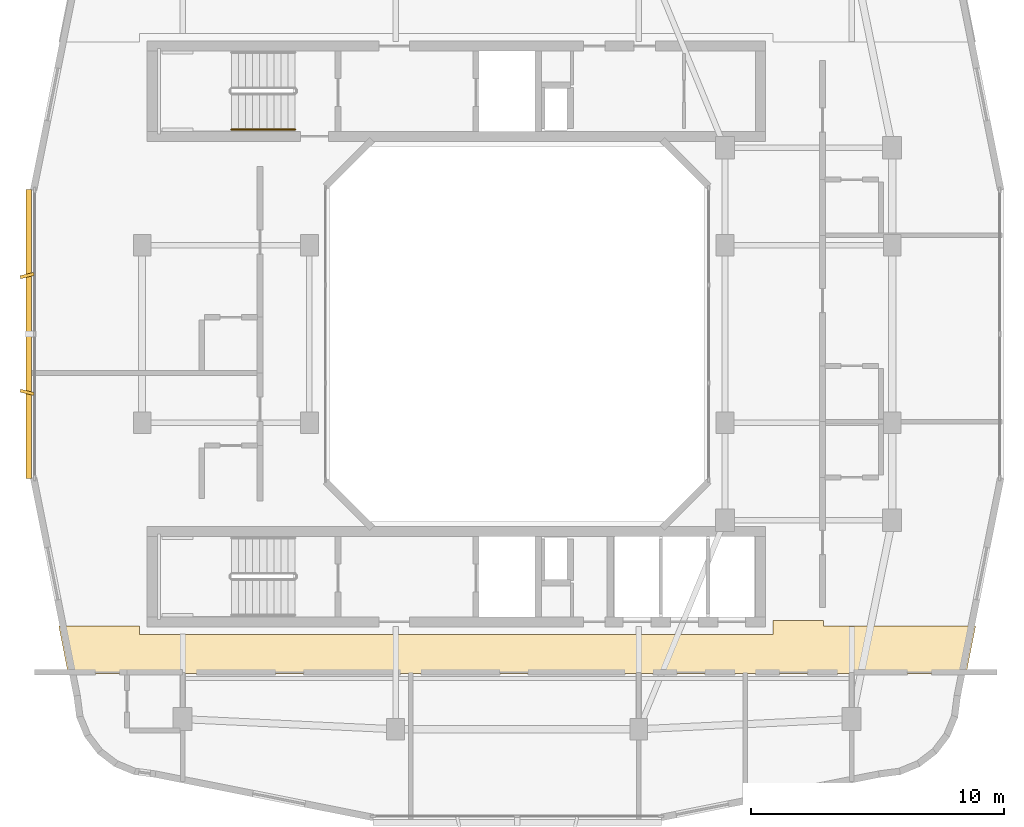
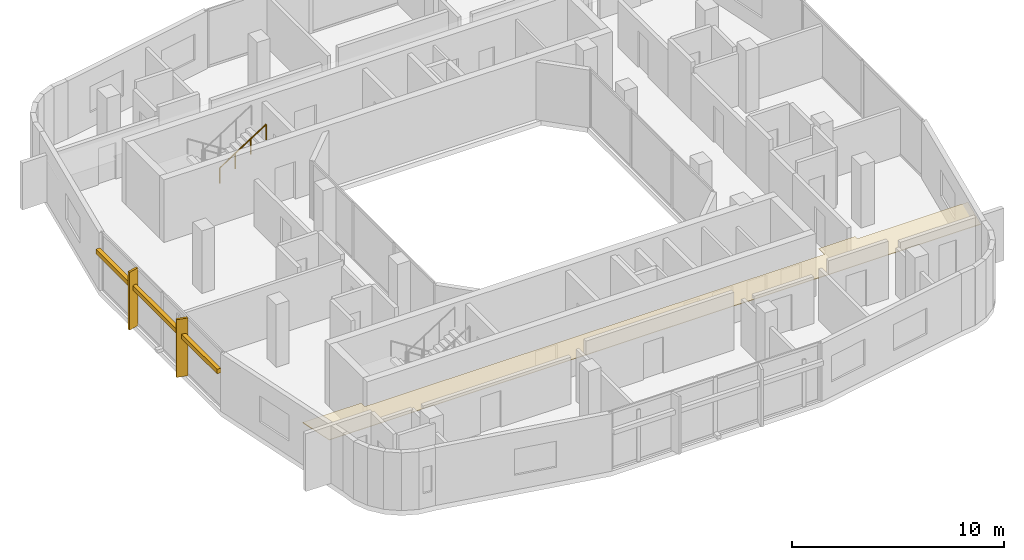
# One storey, part 12 of 14: 3 shading devices, 1 covering, 1 railing.
"""IFC4 building model written with IfcOpenShell, lengths in metres."""

from ifc_helpers import new_model, si_unit, derived_unit, direction, frame, origin, origin_2d, place, context, subcontext, project, spatial, polyline, rectangle, circle, outline, extrude, material, layer, layer_set, type_object, element, save


model = new_model("IFC4")

# Units and contexts
model_context = context("Model", 3, precision=1e-05, world=origin(), true_north=direction((0.0, 1.0)))
body_context = subcontext(model_context, "Body", "Model", "MODEL_VIEW")
ifc_project = project(units=[si_unit("LENGTHUNIT", "METRE"), si_unit("AREAUNIT", "SQUARE_METRE"), si_unit("VOLUMEUNIT", "CUBIC_METRE"), si_unit("PLANEANGLEUNIT", "RADIAN"), si_unit("MASSUNIT", "GRAM", prefix="KILO"), derived_unit("THERMALTRANSMITTANCEUNIT", [(si_unit("POWERUNIT", "WATT"), 1), (si_unit("LENGTHUNIT", "METRE"), -2), (si_unit("THERMODYNAMICTEMPERATUREUNIT", "KELVIN"), -1)])], contexts=[model_context])

# Site, building, storey
site_placement = place(None, origin())
site = spatial("IfcSite", under=ifc_project, at=site_placement, CompositionType="ELEMENT")
building_placement = place(site_placement, origin())
building = spatial("IfcBuilding", under=site, at=building_placement, Name="Kivonza Crest Hotel", CompositionType="ELEMENT")
storey_placement = place(building_placement, frame((0.0, 0.0, 213.5)))
storey = spatial("IfcBuildingStorey", under=building, at=storey_placement, Name="L58", CompositionType="ELEMENT", Elevation=213.5)

# Covering
ifc_material_1 = material(Name="Moisture-resistant gypsum plasterboard ceiling", Category="gypsum")
ifc_layer = layer(ifc_material_1, 0.030029296875)
ifc_layer_set = layer_set([ifc_layer], Name="Moisture-resistant gypsum plasterboard ceiling")
covering_type = type_object("IfcCoveringType", Name="CV-CEIL-GYP", PredefinedType="CEILING", material=ifc_layer_set)
covering_placement = place(storey_placement, frame((0.0, 0.0, 2.449951171875)))
element("IfcCovering", 1, at=covering_placement, inside=storey, type_object=covering_type, Name="L58 Hotel South Guest Corridor suspended ceiling", PredefinedType="CEILING", context=body_context, shape_type="SweptSolid", body=[
    extrude(outline(polyline([(33.090087890625, 13.47998046875), (33.090087890625, 13.68994140625), (31.10009765625, 13.68994140625), (31.10009765625, 13.139892578125), (6.10009765625, 13.139892578125), (6.10009765625, 13.47998046875), (2.906005859375, 13.47998046875), (3.278076171875, 11.610107421875), (38.721923828125, 11.610107421875), (39.093994140625, 13.47998046875), (33.090087890625, 13.47998046875)])), origin(), (0.0, 0.0, 1.0), 0.030029296875),
])

# Railing
ifc_material_2 = material(Name="Brushed stainless steel handrail", Category="steel")
railing_type = type_object("IfcRailingType", Name="RL-HAND-900", PredefinedType="HANDRAIL", material=ifc_material_2)
railing_placement = place(storey_placement, frame((9.719970703125, 33.070068359375, 1.97998046875)))
element("IfcRailing", 2, at=railing_placement, inside=storey, type_object=railing_type, Name="L58 ST-T1-N stair handrail 2", PredefinedType="HANDRAIL", context=body_context, shape_type="SweptSolid", body=[
    extrude(circle(Radius=0.02392578125, at=origin_2d()), frame((0.0, 0.0, 0.8759765625), z_axis=(0.841162588446, 0.0, 0.540782303519), x_axis=(0.0, 1.0, 0.0)), (0.0, 0.0, 1.0), 2.995849609375),
    extrude(circle(Radius=0.02099609375, at=origin_2d()), origin(), (0.0, 0.0, 1.0), 0.851806640625),
    extrude(circle(Radius=0.02099609375, at=origin_2d()), frame((0.840087890625, 0.0, 0.5400390625)), (0.0, 0.0, 1.0), 0.851806640625),
    extrude(circle(Radius=0.02099609375, at=origin_2d()), frame((1.679931640625, 0.0, 1.080078125)), (0.0, 0.0, 1.0), 0.851806640625),
    extrude(circle(Radius=0.02099609375, at=origin_2d()), frame((2.52001953125, 0.0, 1.6201171875)), (0.0, 0.0, 1.0), 0.851806640625),
])

# Shading devices
ifc_material_3 = material(Name="Kiln-fired Nairobi red-ochre terracotta", Category="masonry")
shading_device_type_1 = type_object("IfcShadingDeviceType", Name="SH-BAGUETTE-300", PredefinedType="USERDEFINED", material=ifc_material_3)
shading_device_placement = place(storey_placement, frame((1.719970703125, 25.0, 2.19384765625), z_axis=(0.0, 0.0, 1.0), x_axis=(0.0, -1.0, 0.0)))
element("IfcShadingDevice", 3, at=shading_device_placement, inside=storey, type_object=shading_device_type_1, Name="L58 terracotta baguette screen CW-T1-L58-35", ObjectType="BAGUETTE", PredefinedType="USERDEFINED", context=body_context, shape_type="SweptSolid", body=[
    extrude(rectangle(XDim=11.39990234375, YDim=0.219970703125, at=origin_2d()), origin(), (0.0, 0.0, 1.0), 0.260009765625),
])
ifc_material_4 = material(Name="Kiln-fired terracotta over extruded aluminium spine", Category="masonry")
shading_device_type_2 = type_object("IfcShadingDeviceType", Name="SH-FIN-550", PredefinedType="USERDEFINED", material=ifc_material_4)
for number, where, z_axis, x_axis, name in (
    (4, (1.659912109375, 27.303955078125, 0.0), (0.0, 0.0, 1.0), (0.2419218956, -0.970295726276, 0.0), "L58 vertical solar shading fin CW-T1-L58-35-1"),
    (5, (1.659912109375, 22.696044921875, 0.0), (0.0, 0.0, 1.0), (-0.2419218956, -0.970295726276, 0.0), "L58 vertical solar shading fin CW-T1-L58-35-2"),
):
    element("IfcShadingDevice", number, at=place(storey_placement, frame(where, z_axis=z_axis, x_axis=x_axis)), inside=storey, type_object=shading_device_type_2, Name=name, ObjectType="FIN", PredefinedType="USERDEFINED", context=body_context, shape_type="SweptSolid", body=[
        extrude(rectangle(XDim=0.1201171875, YDim=0.550048828125, at=origin_2d()), origin(), (0.0, 0.0, 1.0), 3.320068359375),
    ])

save(model, "model.ifc")
